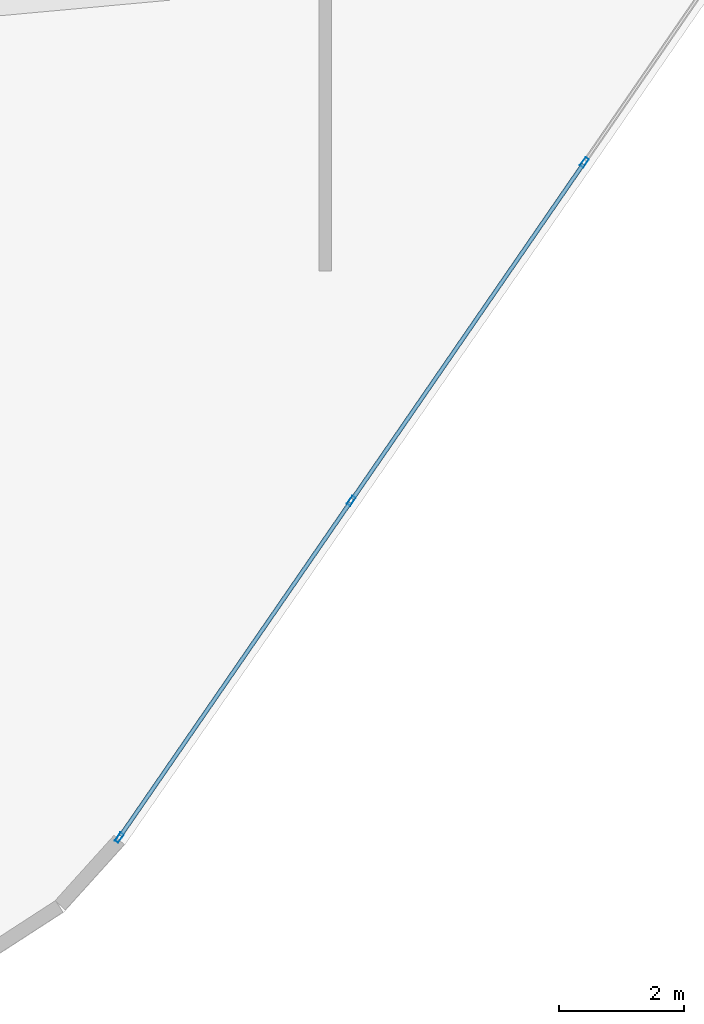
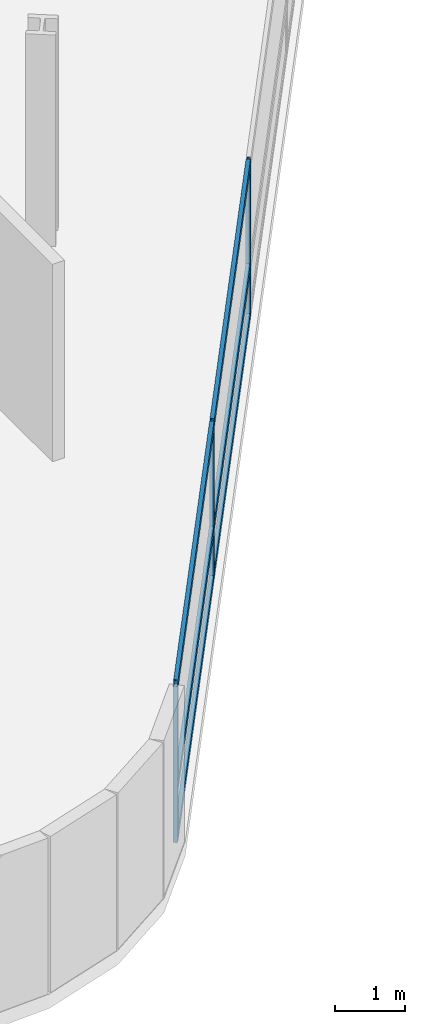
# One storey, part 6 of 25: 9 members, 1 element without a shape of its own.
"""IFC4 building model written with IfcOpenShell, lengths in metres."""

from ifc_helpers import new_model, si_unit, direction, frame, origin, origin_2d, place, context, subcontext, project, spatial, hollow_rectangle, extrude, material, layer, layer_set, material_profile, profile_set, type_object, element, aggregate, save


model = new_model("IFC4")

# Units and contexts
model_context = context("Model", 3, precision=1e-05, world=origin(), true_north=direction((0.0, 1.0)))
body_context = subcontext(model_context, "Body", "Model", "MODEL_VIEW")
ifc_project = project(units=[si_unit("LENGTHUNIT", "METRE"), si_unit("AREAUNIT", "SQUARE_METRE"), si_unit("VOLUMEUNIT", "CUBIC_METRE"), si_unit("PLANEANGLEUNIT", "RADIAN"), si_unit("MASSUNIT", "GRAM", prefix="KILO")], contexts=[model_context])

# Site, building, storey
site_placement = place(None, origin())
site = spatial("IfcSite", under=ifc_project, at=site_placement, CompositionType="ELEMENT")
building_placement = place(site_placement, origin())
building = spatial("IfcBuilding", under=site, at=building_placement, Name="Varnelok Gate Tower", CompositionType="ELEMENT")
storey_placement = place(building_placement, frame((0.0, 0.0, 49.199951171875)))
storey = spatial("IfcBuildingStorey", under=building, at=storey_placement, Name="L11", CompositionType="ELEMENT", Elevation=49.199951171875)

# Curtain wall, members
ifc_material = material(Name="Anodized Aluminum Alloy 6063-T6", Category="aluminium")
ifc_layer = layer(ifc_material, 0.179931640625)
ifc_layer_set = layer_set([ifc_layer], Name="Anodized Aluminum Alloy 6063-T6")
curtain_wall_type = type_object("IfcCurtainWallType", Name="CW3-HOTEL-VISION", PredefinedType="USERDEFINED", material=ifc_layer_set)
curtain_wall_placement = place(storey_placement, origin())
curtain_wall = element("IfcCurtainWall", 1, at=curtain_wall_placement, inside=storey, type_object=curtain_wall_type, Name="L11 East End Vision Curtain Wall", ObjectType="UNITISED CURTAIN WALL", PredefinedType="USERDEFINED")
ifc_material_profile_1 = material_profile(ifc_material, hollow_rectangle(XDim=0.06494140625, YDim=0.159912109375, WallThickness=0.00390625, at=origin_2d()), Name="ALU160X65X4")
ifc_profile_set_1 = profile_set([ifc_material_profile_1], Name="Anodized Aluminum Alloy 6063-T6")
member_type_1 = type_object("IfcMemberType", Name="CW-MULL-160", PredefinedType="MULLION", material=ifc_profile_set_1)
member_1_placement = place(storey_placement, frame((67.64208984375, -2.265380859375, 0.0), z_axis=(0.0, 0.0, 1.0), x_axis=(0.823532685111, -0.567268822124, 0.0)))
member_1 = element("IfcMember", 2, at=member_1_placement, type_object=member_type_1, Name="CW3 mullion 5", PredefinedType="MULLION", context=body_context, shape_type="SweptSolid", body=[
    extrude(hollow_rectangle(XDim=0.06494140625, YDim=0.159912109375, WallThickness=0.00390625, at=origin_2d()), origin(), (0.0, 0.0, 1.0), 2.72998046875),
])
member_2_placement = place(storey_placement, frame((63.9169921875, -7.67333984375, 0.0), z_axis=(0.0, 0.0, 1.0), x_axis=(0.823532685111, -0.567268822124, 0.0)))
member_2 = element("IfcMember", 3, at=member_2_placement, type_object=member_type_1, Name="CW3 mullion 6", PredefinedType="MULLION", context=body_context, shape_type="SweptSolid", body=[
    extrude(hollow_rectangle(XDim=0.06494140625, YDim=0.159912109375, WallThickness=0.00390625, at=origin_2d()), origin(), (0.0, 0.0, 1.0), 2.72998046875),
])
member_3_placement = place(storey_placement, frame((60.21044921875, -13.054443359375, 0.0), z_axis=(0.0, 0.0, 1.0), x_axis=(0.823532685111, -0.567268822124, 0.0)))
member_3 = element("IfcMember", 4, at=member_3_placement, type_object=member_type_1, Name="CW3 mullion 7", PredefinedType="MULLION", context=body_context, shape_type="SweptSolid", body=[
    extrude(hollow_rectangle(XDim=0.06494140625, YDim=0.159912109375, WallThickness=0.00390625, at=origin_2d()), origin(), (0.0, 0.0, 1.0), 2.72998046875),
])
ifc_material_profile_2 = material_profile(ifc_material, hollow_rectangle(XDim=0.06494140625, YDim=0.159912109375, WallThickness=0.00390625, at=origin_2d()), Name="ALU160X65X4")
ifc_profile_set_2 = profile_set([ifc_material_profile_2], Name="Anodized Aluminum Alloy 6063-T6")
member_type_2 = type_object("IfcMemberType", Name="CW-TRAN-160", PredefinedType="USERDEFINED", material=ifc_profile_set_2)
member_4_placement = place(storey_placement, frame((67.623779296875, -2.292236328125, 0.032470703125), z_axis=(-0.567279204469, -0.823525533409, 0.0), x_axis=(0.823525533409, -0.567279204469, 0.0)))
member_4 = element("IfcMember", 5, at=member_4_placement, type_object=member_type_2, Name="CW3 transom 5.1", ObjectType="TRANSOM", PredefinedType="USERDEFINED", context=body_context, shape_type="SweptSolid", body=[
    extrude(hollow_rectangle(XDim=0.06494140625, YDim=0.159912109375, WallThickness=0.00390625, at=origin_2d()), origin(), (0.0, 0.0, 1.0), 6.501708984375),
])
member_5_placement = place(storey_placement, frame((67.623779296875, -2.292236328125, 0.900146484375), z_axis=(-0.567279204469, -0.823525533409, 0.0), x_axis=(0.823525533409, -0.567279204469, 0.0)))
member_5 = element("IfcMember", 6, at=member_5_placement, type_object=member_type_2, Name="CW3 transom 5.2", ObjectType="TRANSOM", PredefinedType="USERDEFINED", context=body_context, shape_type="SweptSolid", body=[
    extrude(hollow_rectangle(XDim=0.06494140625, YDim=0.159912109375, WallThickness=0.00390625, at=origin_2d()), origin(), (0.0, 0.0, 1.0), 6.501708984375),
])
member_6_placement = place(storey_placement, frame((67.623779296875, -2.292236328125, 2.697509765625), z_axis=(-0.567279204469, -0.823525533409, 0.0), x_axis=(0.823525533409, -0.567279204469, 0.0)))
member_6 = element("IfcMember", 7, at=member_6_placement, type_object=member_type_2, Name="CW3 transom 5.3", ObjectType="TRANSOM", PredefinedType="USERDEFINED", context=body_context, shape_type="SweptSolid", body=[
    extrude(hollow_rectangle(XDim=0.06494140625, YDim=0.159912109375, WallThickness=0.00390625, at=origin_2d()), origin(), (0.0, 0.0, 1.0), 6.501708984375),
])
member_7_placement = place(storey_placement, frame((63.898681640625, -7.699951171875, 0.032470703125), z_axis=(-0.567281349446, -0.823524055854, 0.0), x_axis=(0.823524055854, -0.567281349446, 0.0)))
member_7 = element("IfcMember", 8, at=member_7_placement, type_object=member_type_2, Name="CW3 transom 6.1", ObjectType="TRANSOM", PredefinedType="USERDEFINED", context=body_context, shape_type="SweptSolid", body=[
    extrude(hollow_rectangle(XDim=0.06494140625, YDim=0.159912109375, WallThickness=0.00390625, at=origin_2d()), origin(), (0.0, 0.0, 1.0), 6.46923828125),
])
member_8_placement = place(storey_placement, frame((63.898681640625, -7.699951171875, 0.900146484375), z_axis=(-0.567281349446, -0.823524055854, 0.0), x_axis=(0.823524055854, -0.567281349446, 0.0)))
member_8 = element("IfcMember", 9, at=member_8_placement, type_object=member_type_2, Name="CW3 transom 6.2", ObjectType="TRANSOM", PredefinedType="USERDEFINED", context=body_context, shape_type="SweptSolid", body=[
    extrude(hollow_rectangle(XDim=0.06494140625, YDim=0.159912109375, WallThickness=0.00390625, at=origin_2d()), origin(), (0.0, 0.0, 1.0), 6.46923828125),
])
member_9_placement = place(storey_placement, frame((63.898681640625, -7.699951171875, 2.697509765625), z_axis=(-0.567281349446, -0.823524055854, 0.0), x_axis=(0.823524055854, -0.567281349446, 0.0)))
member_9 = element("IfcMember", 10, at=member_9_placement, type_object=member_type_2, Name="CW3 transom 6.3", ObjectType="TRANSOM", PredefinedType="USERDEFINED", context=body_context, shape_type="SweptSolid", body=[
    extrude(hollow_rectangle(XDim=0.06494140625, YDim=0.159912109375, WallThickness=0.00390625, at=origin_2d()), origin(), (0.0, 0.0, 1.0), 6.46923828125),
])
aggregate(curtain_wall, [member_1, member_2, member_3, member_4, member_5, member_6, member_7, member_8, member_9])

save(model, "model.ifc")
